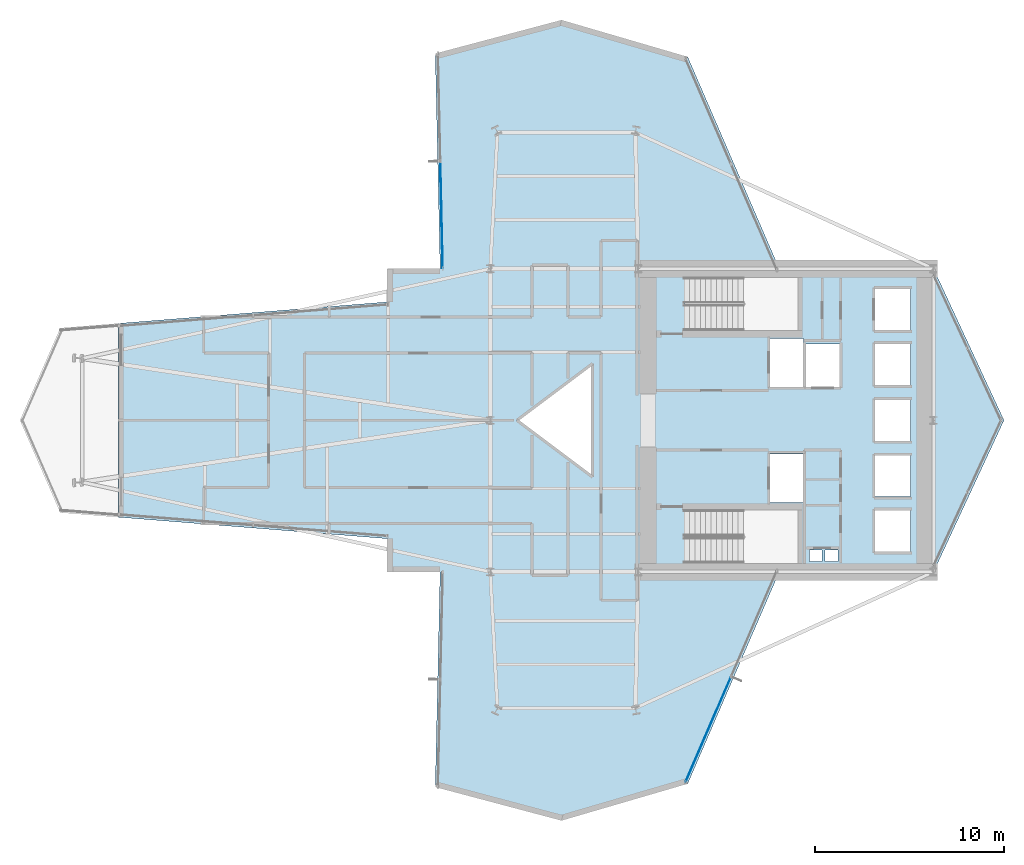
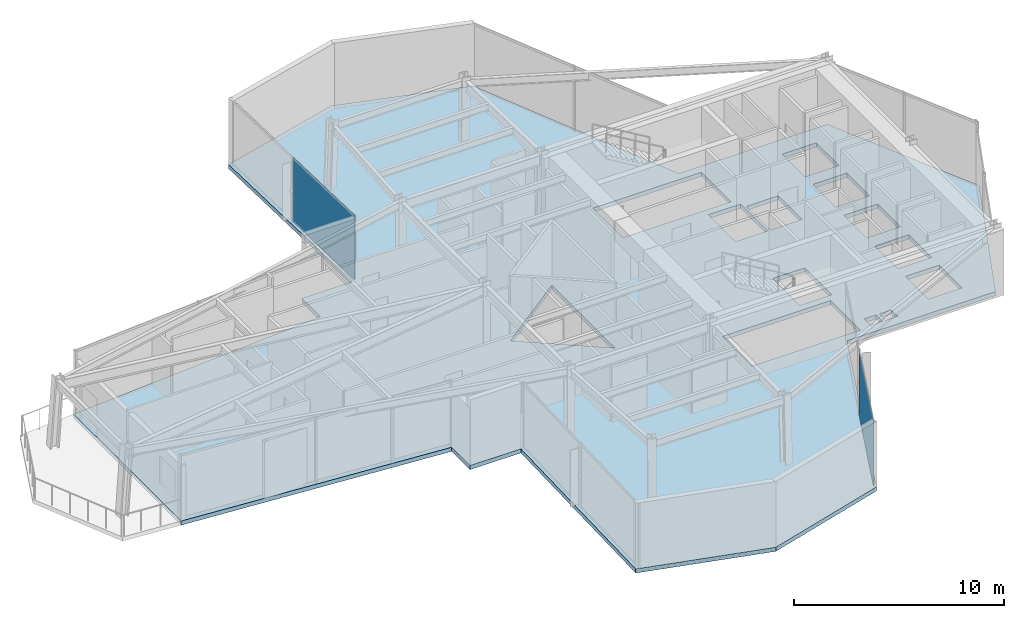
# One storey, part 20 of 26: 2 plates, 1 slab, 2 elements without a shape of their own.
"""IFC4 building model written with IfcOpenShell, lengths in metres."""

from ifc_helpers import new_model, si_unit, direction, frame, origin, origin_2d, place, context, subcontext, project, spatial, polyline, rectangle, outline, extrude, material, layer, layer_set, type_object, element, aggregate, save


model = new_model("IFC4")

# Units and contexts
model_context = context("Model", 3, precision=1e-05, world=origin(), true_north=direction((0.0, 1.0)))
body_context = subcontext(model_context, "Body", "Model", "MODEL_VIEW")
ifc_project = project(units=[si_unit("LENGTHUNIT", "METRE"), si_unit("AREAUNIT", "SQUARE_METRE"), si_unit("VOLUMEUNIT", "CUBIC_METRE"), si_unit("PLANEANGLEUNIT", "RADIAN"), si_unit("MASSUNIT", "GRAM", prefix="KILO")], contexts=[model_context])

# Site, building, storey
site_placement = place(None, origin())
site = spatial("IfcSite", under=ifc_project, at=site_placement, CompositionType="ELEMENT")
building_placement = place(site_placement, origin())
building = spatial("IfcBuilding", under=site, at=building_placement, Name="Veymaron Broadcast Tower", CompositionType="ELEMENT")
storey_placement = place(building_placement, frame((0.0, 0.0, 90.449951171875)))
storey = spatial("IfcBuildingStorey", under=building, at=storey_placement, Name="L20", CompositionType="ELEMENT", Elevation=90.449951171875)

# Curtain wall, plate
ifc_material_1 = material(Name="Anodised aluminium AA 6063-T6 and laminated low-E dark glass", Category="aluminium")
ifc_layer_1 = layer(ifc_material_1, 0.179931640625)
ifc_layer_set_1 = layer_set([ifc_layer_1], Name="Anodised aluminium AA 6063-T6 and laminated low-E dark glass")
curtain_wall_type = type_object("IfcCurtainWallType", Name="CW-SYS-02", PredefinedType="NOTDEFINED", material=ifc_layer_set_1)
curtain_wall_1_placement = place(storey_placement, origin())
curtain_wall_1 = element("IfcCurtainWall", 1, at=curtain_wall_1_placement, inside=storey, type_object=curtain_wall_type, Name="L20 dark-glass curtain wall CW-L20-E1-1", PredefinedType="NOTDEFINED")
ifc_material_2 = material(Name="Double-silver solar-control dark glass IGU 32 mm", Category="glass")
ifc_layer_2 = layer(ifc_material_2, 0.031982421875)
ifc_layer_set_2 = layer_set([ifc_layer_2], Name="Double-silver solar-control dark glass IGU 32 mm")
plate_type = type_object("IfcPlateType", Name="CW-PNL-02", PredefinedType="CURTAIN_PANEL", material=ifc_layer_set_2)
plate_1_placement = place(storey_placement, frame((42.704345703125, 7.675048828125, 0.0400390625), z_axis=(0.0, 0.0, 1.0), x_axis=(0.396667301018, 0.91796244602, 0.0)))
plate_1 = element("IfcPlate", 2, at=plate_1_placement, type_object=plate_type, Name="CW-L20-E1-1 unitised curtain panel 0", PredefinedType="CURTAIN_PANEL", context=body_context, shape_type="SweptSolid", body=[
    extrude(rectangle(XDim=6.0263671875, YDim=0.031982421875, at=origin_2d()), origin(), (0.0, 0.0, 1.0), 3.72998046875),
])
aggregate(curtain_wall_1, [plate_1])

curtain_wall_2_placement = place(storey_placement, origin())
curtain_wall_2 = element("IfcCurtainWall", 3, at=curtain_wall_2_placement, inside=storey, type_object=curtain_wall_type, Name="L20 dark-glass curtain wall CW-L20-E9-1", PredefinedType="NOTDEFINED")
plate_2_placement = place(storey_placement, frame((28.626708984375, 34.8408203125, 0.0400390625), z_axis=(0.0, 0.0, 1.0), x_axis=(0.022355805128, -0.999750077758, 0.0)))
plate_2 = element("IfcPlate", 4, at=plate_2_placement, type_object=plate_type, Name="CW-L20-E9-1 unitised curtain panel 1", PredefinedType="CURTAIN_PANEL", context=body_context, shape_type="SweptSolid", body=[
    extrude(rectangle(XDim=5.616943359375, YDim=0.031982421875, at=origin_2d()), origin(), (0.0, 0.0, 1.0), 3.72998046875),
])
aggregate(curtain_wall_2, [plate_2])

# Slab
ifc_material_3 = material(Name="Concrete C40/50", Category="concrete")
ifc_layer_3 = layer(ifc_material_3, 0.239990234375)
ifc_layer_set_3 = layer_set([ifc_layer_3], Name="Concrete C40/50")
slab_type = type_object("IfcSlabType", Name="SLAB-FS6", PredefinedType="FLOOR", material=ifc_layer_set_3)
slab_placement = place(storey_placement, frame((0.0, 0.0, -0.239990234375)))
element("IfcSlab", 5, at=slab_placement, inside=storey, type_object=slab_type, Name="L20 structural floor slab", PredefinedType="FLOOR", context=body_context, shape_type="SweptSolid", body=[
    extrude(outline(polyline([(41.625732421875, 4.825927734375), (46.454345703125, 16.0), (54.60009765625, 16.0), (58.31689453125, 24.0), (54.60009765625, 32.0), (46.454345703125, 32.0), (41.625732421875, 43.174072265625), (34.9609375, 45.12109375), (28.296142578125, 43.35107421875), (28.550048828125, 32.0), (25.76806640625, 32.0), (25.76806640625, 30.248779296875), (11.575927734375, 29.115966796875), (11.575927734375, 18.884033203125), (25.76806640625, 17.751220703125), (25.76806640625, 16.0), (28.550048828125, 16.0), (28.296142578125, 4.64892578125), (34.9609375, 2.87890625), (41.625732421875, 4.825927734375)]), holes=[polyline([(45.969970703125, 28.330078125), (47.72998046875, 28.330078125), (47.72998046875, 25.77001953125), (45.969970703125, 25.77001953125), (45.969970703125, 28.330078125)]), polyline([(45.969970703125, 22.22998046875), (47.72998046875, 22.22998046875), (47.72998046875, 19.669921875), (45.969970703125, 19.669921875), (45.969970703125, 22.22998046875)]), polyline([(47.8701171875, 28.030029296875), (49.6298828125, 28.030029296875), (49.6298828125, 25.77001953125), (47.8701171875, 25.77001953125), (47.8701171875, 28.030029296875)]), polyline([(51.52001953125, 30.929931640625), (53.3798828125, 30.929931640625), (53.3798828125, 28.77001953125), (51.52001953125, 28.77001953125), (51.52001953125, 30.929931640625)]), polyline([(51.52001953125, 28.030029296875), (53.3798828125, 28.030029296875), (53.3798828125, 25.8701171875), (51.52001953125, 25.8701171875), (51.52001953125, 28.030029296875)]), polyline([(51.52001953125, 22.1298828125), (53.3798828125, 22.1298828125), (53.3798828125, 19.969970703125), (51.52001953125, 19.969970703125), (51.52001953125, 22.1298828125)]), polyline([(51.52001953125, 25.080078125), (53.3798828125, 25.080078125), (53.3798828125, 22.919921875), (51.52001953125, 22.919921875), (51.52001953125, 25.080078125)]), polyline([(51.52001953125, 19.22998046875), (53.3798828125, 19.22998046875), (53.3798828125, 17.070068359375), (51.52001953125, 17.070068359375), (51.52001953125, 19.22998046875)]), polyline([(48.050048828125, 17.159912109375), (48.719970703125, 17.159912109375), (48.719970703125, 16.56005859375), (48.050048828125, 16.56005859375), (48.050048828125, 17.159912109375)]), polyline([(48.8798828125, 17.159912109375), (49.550048828125, 17.159912109375), (49.550048828125, 16.56005859375), (48.8798828125, 16.56005859375), (48.8798828125, 17.159912109375)]), polyline([(36.60009765625, 27.0), (36.60009765625, 21.0), (32.60009765625, 24.0), (36.60009765625, 27.0)]), polyline([(41.489990234375, 31.550048828125), (47.43994140625, 31.550048828125), (47.43994140625, 28.72998046875), (41.489990234375, 28.72998046875), (41.489990234375, 31.550048828125)]), polyline([(41.489990234375, 19.27001953125), (47.43994140625, 19.27001953125), (47.43994140625, 16.449951171875), (41.489990234375, 16.449951171875), (41.489990234375, 19.27001953125)])]), origin(), (0.0, 0.0, 1.0), 0.239990234375),
])

save(model, "model.ifc")
